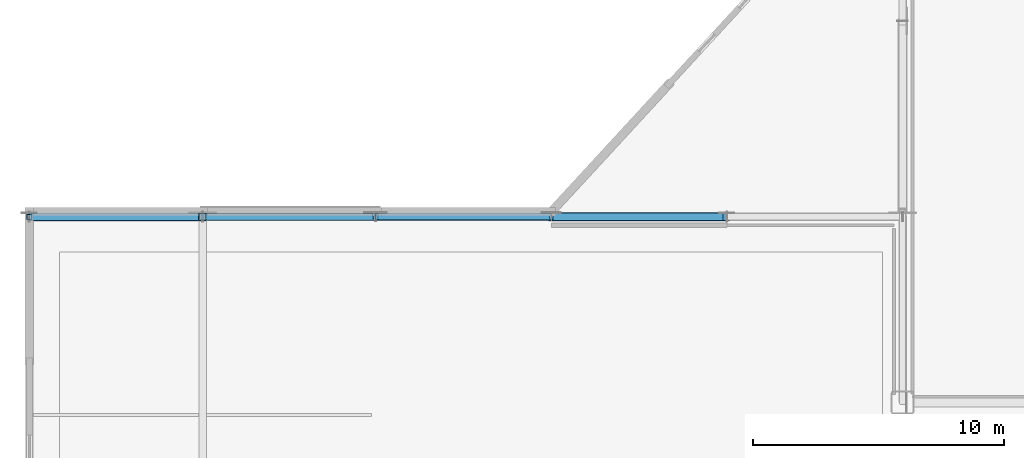
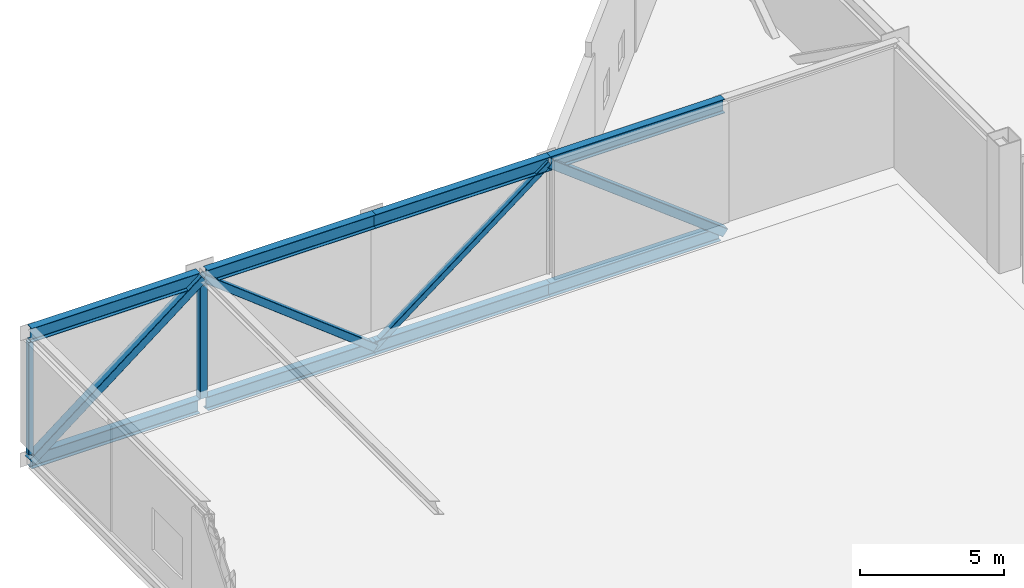
# One storey, part 22 of 135: 8 beams, 6 members.
"""IFC4 building model written with IfcOpenShell, lengths in metres."""

import ifcopenshell
import ifcopenshell.guid

model = None  # the IFC model being written
_history = None  # IfcOwnerHistory: only IFC2X3 demands one
_inside = {}  # id of a spatial element -> (the spatial element, [elements in it])
_under = {}  # id of a project, library or spatial element -> (it, [spatial elements below it])
_declared = {}  # id of a project -> (the project, [libraries it declares])
_typed = {}  # id of a type object -> (the type object, [elements of that type])
_made_of = {}  # id of a material, layer set ... -> (it, [elements and type objects made of it])


def new_model(schema):
    """Start an empty IFC model of exactly this schema.

    Asked for "IFC4X3", IfcOpenShell would pick the latest addendum, in which some entities
    have other attributes; the version numbers below select the first issue.
    IFC2X3 requires an IfcOwnerHistory on every rooted entity: one is made here for all.
    """
    global model, _history
    if schema == "IFC4X3":
        model = ifcopenshell.file(schema_version=(4, 3, 0, 0))
    else:
        model = ifcopenshell.file(schema=schema)
    _inside.clear()
    _under.clear()
    _declared.clear()
    _typed.clear()
    _made_of.clear()
    _history = None
    if model.schema == "IFC2X3":
        org = make("IfcOrganization", Name="unknown")
        user = make(
            "IfcPersonAndOrganization",
            ThePerson=make("IfcPerson", FamilyName="unknown"),
            TheOrganization=org,
        )
        app = make(
            "IfcApplication",
            ApplicationDeveloper=org,
            Version="unknown",
            ApplicationFullName="unknown",
            ApplicationIdentifier="unknown",
        )
        _history = make(
            "IfcOwnerHistory",
            OwningUser=user,
            OwningApplication=app,
            ChangeAction="ADDED",
            CreationDate=0,
        )
    return model


def make(cls, **values):
    """One entity of the class cls with the attributes given. An attribute that is None is left unset."""
    return model.create_entity(
        cls, **{name: value for name, value in values.items() if value is not None}
    )


def rooted(cls, **values):
    """An entity with a GlobalId (a new one), such as an element, a storey or a relation."""
    return make(cls, GlobalId=ifcopenshell.guid.new(), OwnerHistory=_history, **values)


def si_unit(unit_type, name, prefix=None):
    """IfcSIUnit, for example si_unit("LENGTHUNIT", "METRE", prefix="MILLI")."""
    return make("IfcSIUnit", UnitType=unit_type, Prefix=prefix, Name=name)


def assignment(units):
    """IfcUnitAssignment: the units of a project."""
    return None if units is None else make("IfcUnitAssignment", Units=units)


def point(xyz):
    """IfcCartesianPoint."""
    return None if xyz is None else make("IfcCartesianPoint", Coordinates=xyz)


def direction(xyz):
    """IfcDirection."""
    return None if xyz is None else make("IfcDirection", DirectionRatios=xyz)


def frame(location, z_axis=None, x_axis=None):
    """IfcAxis2Placement3D, a coordinate frame: its origin and axes. An axis left out is left unset."""
    return make(
        "IfcAxis2Placement3D",
        Location=point(location),
        Axis=direction(z_axis),
        RefDirection=direction(x_axis),
    )


def frame_2d(location, x_axis=None):
    """IfcAxis2Placement2D, a coordinate frame in the plane: its origin and x axis."""
    return make(
        "IfcAxis2Placement2D", Location=point(location), RefDirection=direction(x_axis)
    )


def origin():
    """The frame at (0, 0, 0) with its axes left unset."""
    return frame((0.0, 0.0, 0.0))


def origin_2d():
    """The frame at (0, 0) in the plane with its x axis left unset."""
    return frame_2d((0.0, 0.0))


def place(relative_to, where):
    """IfcLocalPlacement: puts the frame where relative to a parent placement (None: the world)."""
    return make(
        "IfcLocalPlacement", PlacementRelTo=relative_to, RelativePlacement=where
    )


def context(
    kind, dimensions, precision=None, world=None, true_north=None, identifier=None
):
    """IfcGeometricRepresentationContext, for example the 3D "Model" context."""
    return make(
        "IfcGeometricRepresentationContext",
        ContextIdentifier=identifier,
        ContextType=kind,
        CoordinateSpaceDimension=dimensions,
        Precision=precision,
        WorldCoordinateSystem=world,
        TrueNorth=true_north,
    )


def subcontext(parent, identifier, kind, view, scale=None):
    """IfcGeometricRepresentationSubContext, for example "Body" below "Model"."""
    return make(
        "IfcGeometricRepresentationSubContext",
        ContextIdentifier=identifier,
        ContextType=kind,
        ParentContext=parent,
        TargetScale=scale,
        TargetView=view,
    )


def project(units=None, contexts=None):
    """IfcProject with its units and contexts."""
    return rooted(
        "IfcProject",
        Name="project",
        RepresentationContexts=contexts,
        UnitsInContext=assignment(units),
    )


def spatial(cls, under=None, at=None, **own):
    """A site, building, storey or space (cls), placed at a placement, below another one or the project."""
    s = rooted(cls, ObjectPlacement=at, **own)
    if under is not None:
        _under.setdefault(under.id(), (under, []))[1].append(s)
    return s


def profile(cls, at=None, kind="AREA", **sizes):
    """A parametric profile (cls). Its sizes go by their IFC names, for example OverallWidth=200.0."""
    return make(cls, ProfileType=kind, Position=at, **sizes)


def hollow_rectangle(**sizes):
    """IfcRectangleHollowProfileDef."""
    return profile("IfcRectangleHollowProfileDef", **sizes)


def i_section(**sizes):
    """IfcIShapeProfileDef."""
    return profile("IfcIShapeProfileDef", **sizes)


def extrude(swept, where, along, depth):
    """IfcExtrudedAreaSolid: the profile swept, set in the frame where, extruded along a direction by depth."""
    return make(
        "IfcExtrudedAreaSolid",
        SweptArea=swept,
        Position=where,
        ExtrudedDirection=direction(along),
        Depth=depth,
    )


def shape(context_of_items, identifier, shape_type, items):
    """IfcShapeRepresentation: the items that make up one representation, for example the "Body"."""
    return make(
        "IfcShapeRepresentation",
        ContextOfItems=context_of_items,
        RepresentationIdentifier=identifier,
        RepresentationType=shape_type,
        Items=items,
    )


def material(Name=None, Category=None):
    """IfcMaterial."""
    return make("IfcMaterial", Name=Name, Category=Category)


def material_profile(
    of_material, cross_section, Name=None, Category=None, Priority=None
):
    """IfcMaterialProfile: a cross section and its material."""
    return make(
        "IfcMaterialProfile",
        Name=Name,
        Material=of_material,
        Profile=cross_section,
        Priority=Priority,
        Category=Category,
    )


def profile_set(profiles, Name=None, composite=None):
    """IfcMaterialProfileSet."""
    return make(
        "IfcMaterialProfileSet",
        Name=Name,
        MaterialProfiles=profiles,
        CompositeProfile=composite,
    )


def made_of(thing, what):
    """Note that an element or type object is made of a material, layer set ...; save() writes the relation."""
    if what is not None:
        _made_of.setdefault(what.id(), (what, []))[1].append(thing)
    return thing


def type_object(cls, material=None, **own):
    """A type object (cls), such as IfcWallType, which elements share."""
    return made_of(rooted(cls, **own), material)


def element(
    cls,
    number,
    at=None,
    inside=None,
    cuts=None,
    type_object=None,
    material=None,
    context=None,
    identifier="Body",
    shape_type=None,
    held_by="IfcProductDefinitionShape",
    body=None,
    shapes=None,
    **own,
):
    """One element of the class cls, such as IfcWall. Its Tag is "e" and its number.

    at: its placement. inside: the storey or other place that contains it. cuts: it is an
    opening in that element (IfcRelVoidsElement). A single representation is given by context,
    identifier, shape_type and body (its items); several are given by shapes. held_by: the class
    of the entity that holds the representations. save() writes the other relations.
    """
    e = rooted(cls, Tag="e%d" % number, ObjectPlacement=at, **own)
    if body is not None:
        shapes = [shape(context, identifier, shape_type, body)]
    if shapes is not None:
        e.Representation = make(held_by, Representations=shapes)
    if inside is not None:
        _inside.setdefault(inside.id(), (inside, []))[1].append(e)
    if cuts is not None:
        rooted(
            "IfcRelVoidsElement", RelatingBuildingElement=cuts, RelatedOpeningElement=e
        )
    if type_object is not None:
        _typed.setdefault(type_object.id(), (type_object, []))[1].append(e)
    return made_of(e, material)


def aggregate(whole, parts):
    """IfcRelAggregates: a whole, such as a stair, and the parts it consists of."""
    return rooted("IfcRelAggregates", RelatingObject=whole, RelatedObjects=parts)


def save(model, path):
    """Write the relations noted so far, then the file.

    IfcRelAggregates (storeys below a building ...), IfcRelContainedInSpatialStructure (elements
    in a storey), IfcRelDefinesByType, IfcRelAssociatesMaterial and IfcRelDeclares: one each for
    every whole, place, type object, material and project.
    """
    for whole, parts in _under.values():
        aggregate(whole, parts)
    for where, things in _inside.values():
        rooted(
            "IfcRelContainedInSpatialStructure",
            RelatedElements=things,
            RelatingStructure=where,
        )
    for kind, things in _typed.values():
        rooted("IfcRelDefinesByType", RelatedObjects=things, RelatingType=kind)
    for what, things in _made_of.values():
        rooted("IfcRelAssociatesMaterial", RelatedObjects=things, RelatingMaterial=what)
    for by, libraries in _declared.values():
        rooted("IfcRelDeclares", RelatingContext=by, RelatedDefinitions=libraries)
    model.write(path)


model = new_model("IFC4")

# Units and contexts
model_context = context("Model", 3, precision=1e-05, world=origin(), true_north=direction((0.0, 1.0)))
body_context = subcontext(model_context, "Body", "Model", "MODEL_VIEW")
ifc_project = project(units=[si_unit("LENGTHUNIT", "METRE"), si_unit("AREAUNIT", "SQUARE_METRE"), si_unit("VOLUMEUNIT", "CUBIC_METRE"), si_unit("PLANEANGLEUNIT", "RADIAN"), si_unit("MASSUNIT", "GRAM", prefix="KILO")], contexts=[model_context])

# Site, building, storey
site_placement = place(None, origin())
site = spatial("IfcSite", under=ifc_project, at=site_placement, CompositionType="ELEMENT")
building_placement = place(site_placement, origin())
building = spatial("IfcBuilding", under=site, at=building_placement, Name="Larkvane Passage Sports Hall", CompositionType="ELEMENT")
storey_placement = place(building_placement, frame((0.0, 0.0, 16.800048828125)))
storey = spatial("IfcBuildingStorey", under=building, at=storey_placement, Name="L03", CompositionType="ELEMENT", Elevation=16.800048828125)

# Beams
ifc_material = material(Name="Steel S460N", Category="steel")
ifc_material_profile_1 = material_profile(ifc_material, i_section(OverallWidth=0.300048828125, OverallDepth=0.587890625, WebThickness=0.011962890625, FlangeThickness=0.02001953125, FilletRadius=0.02197265625, at=origin_2d()), Name="H-588x300x12x20")
ifc_profile_set_1 = profile_set([ifc_material_profile_1], Name="Steel S460N")
beam_type = type_object("IfcBeamType", Name="BM-STL-H588", PredefinedType="BEAM", material=ifc_profile_set_1)
for number, where, z_axis, x_axis, name in (
    (1, (0.0, 99.0, -0.614013671875), (1.0, 0.0, 0.0), (0.0, 1.0, 0.0), "Cantilever truss CT-W3A-2 bottom chord 1"),
    (2, (0.0, 99.0, 4.755859375), (1.0, 0.0, 0.0), (0.0, 1.0, 0.0), "Cantilever truss CT-W3A-2 top chord 1"),
    (3, (7.054931640625, 99.0, -0.614013671875), (1.0, 0.0, 0.0), (0.0, 1.0, 0.0), "Cantilever truss CT-W3A-2 bottom chord 2"),
    (4, (7.054931640625, 99.0, 4.755859375), (1.0, 0.0, 0.0), (0.0, 1.0, 0.0), "Cantilever truss CT-W3A-2 top chord 2"),
):
    element("IfcBeam", number, at=place(storey_placement, frame(where, z_axis=z_axis, x_axis=x_axis)), inside=storey, type_object=beam_type, Name=name, PredefinedType="BEAM", context=body_context, shape_type="SweptSolid", body=[
        extrude(i_section(OverallWidth=0.300048828125, OverallDepth=0.587890625, WebThickness=0.011962890625, FlangeThickness=0.02001953125, FilletRadius=0.02197265625, at=origin_2d()), origin(), (0.0, 0.0, 1.0), 6.7451171875),
    ])
for number, where, z_axis, x_axis, name in (
    (5, (13.800048828125, 99.0, -0.614013671875), (1.0, 0.0, 0.0), (0.0, 1.0, 0.0), "Cantilever truss CT-W3A-2 bottom chord 3"),
    (6, (13.800048828125, 99.0, 4.755859375), (1.0, 0.0, 0.0), (0.0, 1.0, 0.0), "Cantilever truss CT-W3A-2 top chord 3"),
):
    element("IfcBeam", number, at=place(storey_placement, frame(where, z_axis=z_axis, x_axis=x_axis)), inside=storey, type_object=beam_type, Name=name, PredefinedType="BEAM", context=body_context, shape_type="SweptSolid", body=[
        extrude(i_section(OverallWidth=0.300048828125, OverallDepth=0.587890625, WebThickness=0.011962890625, FlangeThickness=0.02001953125, FilletRadius=0.02197265625, at=origin_2d()), origin(), (0.0, 0.0, 1.0), 7.0),
    ])
beam_1_placement = place(storey_placement, frame((20.800048828125, 99.0, -0.614013671875), z_axis=(1.0, 0.0, 0.0), x_axis=(0.0, 1.0, 0.0)))
element("IfcBeam", 7, at=beam_1_placement, inside=storey, type_object=beam_type, Name="Cantilever truss CT-W3A-2 bottom chord 4", PredefinedType="BEAM", context=body_context, shape_type="SweptSolid", body=[
    extrude(i_section(OverallWidth=0.300048828125, OverallDepth=0.587890625, WebThickness=0.011962890625, FlangeThickness=0.02001953125, FilletRadius=0.02197265625, at=origin_2d()), origin(), (0.0, 0.0, 1.0), 6.844970703125),
])
beam_2_placement = place(storey_placement, frame((20.800048828125, 99.0, 4.755859375), z_axis=(1.0, 0.0, 0.0), x_axis=(0.0, 1.0, 0.0)))
element("IfcBeam", 8, at=beam_2_placement, inside=storey, type_object=beam_type, Name="Cantilever truss CT-W3A-2 top chord 4", PredefinedType="BEAM", context=body_context, shape_type="SweptSolid", body=[
    extrude(i_section(OverallWidth=0.300048828125, OverallDepth=0.587890625, WebThickness=0.011962890625, FlangeThickness=0.02001953125, FilletRadius=0.02197265625, at=origin_2d()), origin(), (0.0, 0.0, 1.0), 7.0),
])

# Members
ifc_material_profile_2 = material_profile(ifc_material, hollow_rectangle(XDim=0.25, YDim=0.25, WallThickness=0.011962890625, InnerFilletRadius=0.011962890625, OuterFilletRadius=0.02392578125, at=origin_2d()), Name="SHS-250x250x12")
ifc_profile_set_2 = profile_set([ifc_material_profile_2], Name="Steel S460N")
member_type_1 = type_object("IfcMemberType", Name="MBR-BR-SHS250", PredefinedType="BRACE", material=ifc_profile_set_2)
member_1_placement = place(storey_placement, frame((13.800048828125, 99.0, -0.614013671875), z_axis=(0.793430842103, 0.0, 0.608660413367), x_axis=(0.0, 1.0, 0.0)))
element("IfcMember", 9, at=member_1_placement, inside=storey, type_object=member_type_1, Name="Cantilever truss CT-W3A-2 web diagonal 3", PredefinedType="BRACE", context=body_context, shape_type="SweptSolid", body=[
    extrude(hollow_rectangle(XDim=0.25, YDim=0.25, WallThickness=0.011962890625, InnerFilletRadius=0.011962890625, OuterFilletRadius=0.02392578125, at=origin_2d()), origin(), (0.0, 0.0, 1.0), 8.822509765625),
])
ifc_material_profile_3 = material_profile(ifc_material, hollow_rectangle(XDim=0.300048828125, YDim=0.300048828125, WallThickness=0.011962890625, InnerFilletRadius=0.011962890625, OuterFilletRadius=0.02392578125, at=origin_2d()), Name="SHS-300x300x12")
ifc_profile_set_3 = profile_set([ifc_material_profile_3], Name="Steel S460N")
member_type_2 = type_object("IfcMemberType", Name="MBR-BR-SHS300", PredefinedType="BRACE", material=ifc_profile_set_3)
member_2_placement = place(storey_placement, frame((6.89990234375, 99.0, 4.755859375), z_axis=(0.789180783865, 0.0, -0.614160964551), x_axis=(0.0, 1.0, 0.0)))
element("IfcMember", 10, at=member_2_placement, inside=storey, type_object=member_type_2, Name="Cantilever truss CT-W3A-2 web diagonal 2", PredefinedType="BRACE", context=body_context, shape_type="SweptSolid", body=[
    extrude(hollow_rectangle(XDim=0.300048828125, YDim=0.300048828125, WallThickness=0.011962890625, InnerFilletRadius=0.011962890625, OuterFilletRadius=0.02392578125, at=origin_2d()), origin(), (0.0, 0.0, 1.0), 8.743408203125),
])
ifc_material_profile_4 = material_profile(ifc_material, hollow_rectangle(XDim=0.35009765625, YDim=0.35009765625, WallThickness=0.01611328125, InnerFilletRadius=0.01611328125, OuterFilletRadius=0.031982421875, at=origin_2d()), Name="SHS-350x350x16")
ifc_profile_set_4 = profile_set([ifc_material_profile_4], Name="Steel S460N")
member_type_3 = type_object("IfcMemberType", Name="MBR-BR-SHS350", PredefinedType="BRACE", material=ifc_profile_set_4)
member_3_placement = place(storey_placement, frame((0.0, 99.0, -0.614013671875), z_axis=(0.78917025123, 0.0, 0.614174498472), x_axis=(0.0, 1.0, 0.0)))
element("IfcMember", 11, at=member_3_placement, inside=storey, type_object=member_type_3, Name="Cantilever truss CT-W3A-2 web diagonal 1", PredefinedType="BRACE", context=body_context, shape_type="SweptSolid", body=[
    extrude(hollow_rectangle(XDim=0.35009765625, YDim=0.35009765625, WallThickness=0.01611328125, InnerFilletRadius=0.01611328125, OuterFilletRadius=0.031982421875, at=origin_2d()), origin(), (0.0, 0.0, 1.0), 8.7431640625),
])
member_4_placement = place(storey_placement, frame((20.800048828125, 99.0, 4.755859375), z_axis=(0.793430842103, 0.0, -0.608660413367), x_axis=(0.0, 1.0, 0.0)))
element("IfcMember", 12, at=member_4_placement, inside=storey, type_object=member_type_3, Name="Cantilever truss CT-W3A-2 web diagonal 4", PredefinedType="BRACE", context=body_context, shape_type="SweptSolid", body=[
    extrude(hollow_rectangle(XDim=0.35009765625, YDim=0.35009765625, WallThickness=0.01611328125, InnerFilletRadius=0.01611328125, OuterFilletRadius=0.031982421875, at=origin_2d()), origin(), (0.0, 0.0, 1.0), 8.822509765625),
])
ifc_material_profile_5 = material_profile(ifc_material, hollow_rectangle(XDim=0.199951171875, YDim=0.199951171875, WallThickness=0.009033203125, InnerFilletRadius=0.009033203125, OuterFilletRadius=0.01806640625, at=origin_2d()), Name="SHS-200x200x9")
ifc_profile_set_5 = profile_set([ifc_material_profile_5], Name="Steel S460N")
member_type_4 = type_object("IfcMemberType", Name="MBR-ST-SHS200", PredefinedType="STRUT", material=ifc_profile_set_5)
member_5_placement = place(storey_placement, frame((0.0, 99.0, -0.320068359375), z_axis=(0.0, 0.0, 1.0), x_axis=(1.0, 0.0, 0.0)))
element("IfcMember", 13, at=member_5_placement, inside=storey, type_object=member_type_4, Name="Cantilever truss CT-W3A-2 vertical post 1", PredefinedType="STRUT", context=body_context, shape_type="SweptSolid", body=[
    extrude(hollow_rectangle(XDim=0.199951171875, YDim=0.199951171875, WallThickness=0.009033203125, InnerFilletRadius=0.009033203125, OuterFilletRadius=0.01806640625, at=origin_2d()), origin(), (0.0, 0.0, 1.0), 4.781982421875),
])
ifc_material_profile_6 = material_profile(ifc_material, hollow_rectangle(XDim=0.300048828125, YDim=0.300048828125, WallThickness=0.011962890625, InnerFilletRadius=0.011962890625, OuterFilletRadius=0.02392578125, at=origin_2d()), Name="SHS-300x300x12")
ifc_profile_set_6 = profile_set([ifc_material_profile_6], Name="Steel S460N")
member_type_5 = type_object("IfcMemberType", Name="MBR-ST-SHS300", PredefinedType="STRUT", material=ifc_profile_set_6)
member_6_placement = place(storey_placement, frame((6.89990234375, 99.0, -0.320068359375), z_axis=(0.0, 0.0, 1.0), x_axis=(1.0, 0.0, 0.0)))
element("IfcMember", 14, at=member_6_placement, inside=storey, type_object=member_type_5, Name="Cantilever truss CT-W3A-2 vertical post 2", PredefinedType="STRUT", context=body_context, shape_type="SweptSolid", body=[
    extrude(hollow_rectangle(XDim=0.300048828125, YDim=0.300048828125, WallThickness=0.011962890625, InnerFilletRadius=0.011962890625, OuterFilletRadius=0.02392578125, at=origin_2d()), origin(), (0.0, 0.0, 1.0), 4.781982421875),
])

save(model, "model.ifc")
